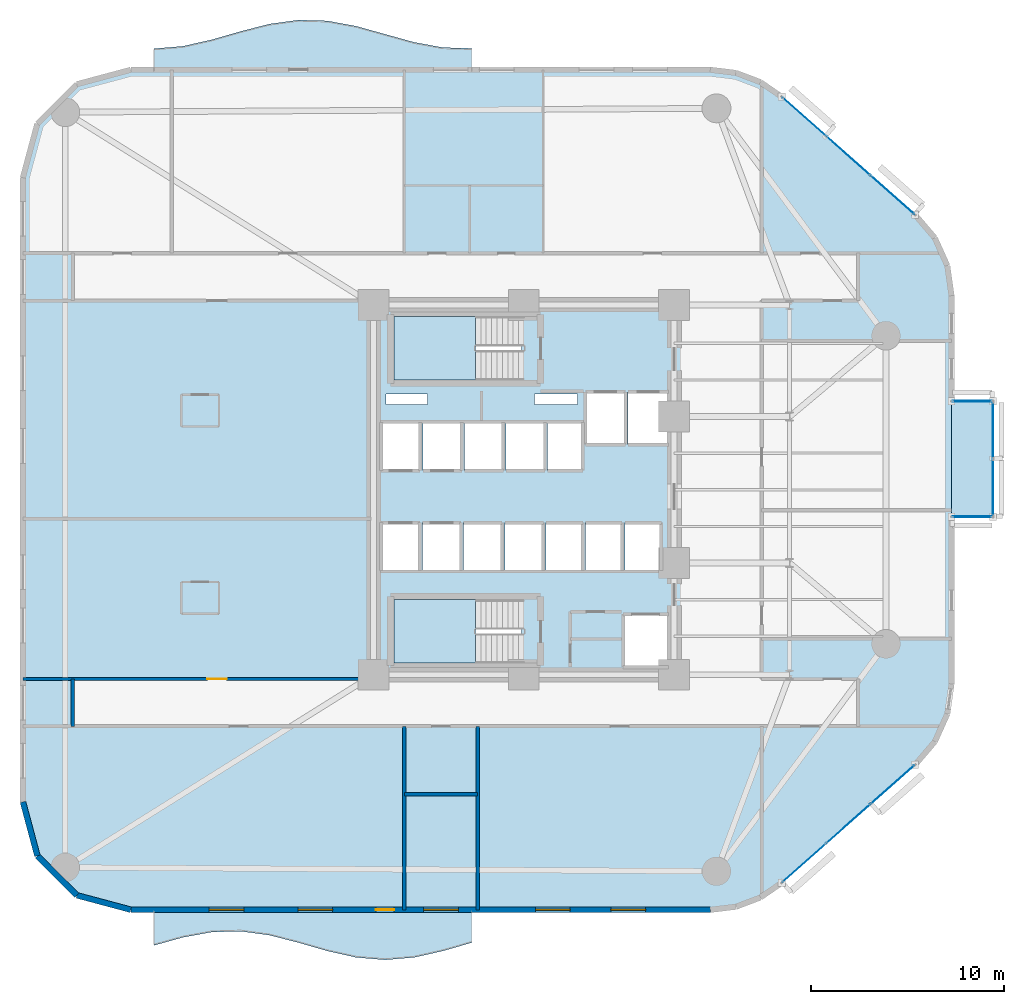
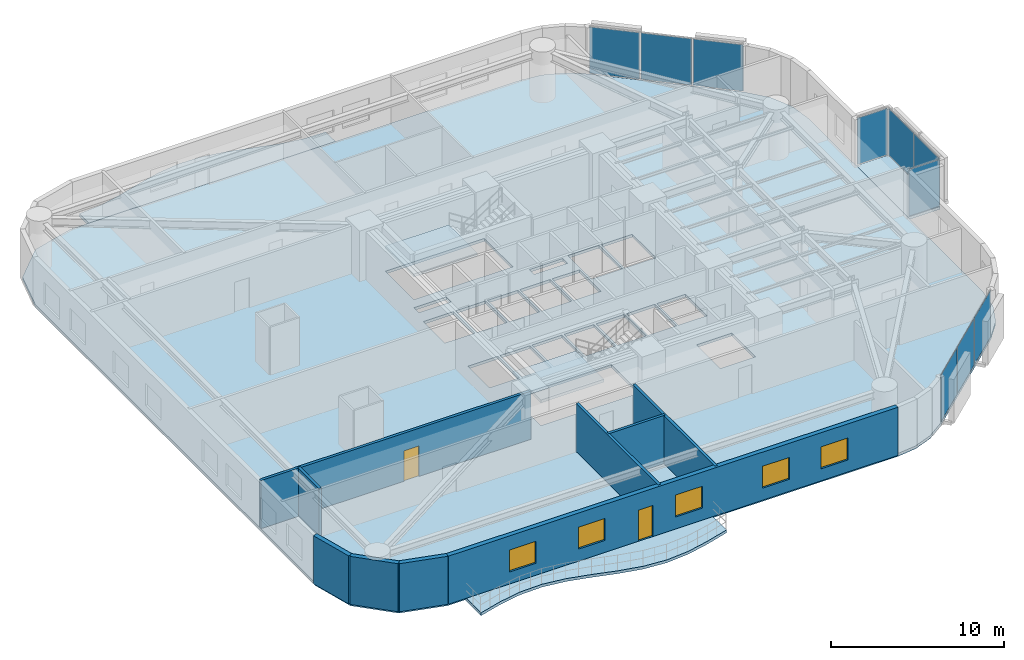
# One storey, part 9 of 16: 10 plates, 9 walls, 6 slabs, 5 windows, 2 doors, 7 openings, 7 elements without a shape of their own.
"""IFC4 building model written with IfcOpenShell, lengths in metres."""

from ifc_helpers import new_model, si_unit, direction, frame, frame_2d, origin, origin_2d, place, context, subcontext, project, spatial, polyline, rectangle, outline, extrude, material, layer, layer_set, type_object, element, fill, aggregate, save


model = new_model("IFC4")

# Units and contexts
model_context = context("Model", 3, precision=1e-05, world=origin(), true_north=direction((0.0, 1.0)))
body_context = subcontext(model_context, "Body", "Model", "MODEL_VIEW")
ifc_project = project(units=[si_unit("LENGTHUNIT", "METRE"), si_unit("AREAUNIT", "SQUARE_METRE"), si_unit("VOLUMEUNIT", "CUBIC_METRE"), si_unit("PLANEANGLEUNIT", "RADIAN"), si_unit("MASSUNIT", "GRAM", prefix="KILO")], contexts=[model_context])

# Site, building, storey
site_placement = place(None, origin())
site = spatial("IfcSite", under=ifc_project, at=site_placement, CompositionType="ELEMENT")
building_placement = place(site_placement, origin())
building = spatial("IfcBuilding", under=site, at=building_placement, Name="An Khanh Terracotta Commons", CompositionType="ELEMENT")
storey_placement = place(building_placement, frame((0.0, 0.0, 46.800048828125)))
storey = spatial("IfcBuildingStorey", under=building, at=storey_placement, Name="L12", CompositionType="ELEMENT", Elevation=46.800048828125)

# Curtain wall, plates
ifc_material_1 = material(Name="Anodised Aluminium 6063-T6", Category="aluminium")
ifc_layer_1 = layer(ifc_material_1, 0.199951171875, Name="Anodised Aluminium 6063-T6")
ifc_layer_set_1 = layer_set([ifc_layer_1], Name="Anodised Aluminium 6063-T6")
curtain_wall_type_1 = type_object("IfcCurtainWallType", Name="CW-SYS-02", PredefinedType="USERDEFINED", material=ifc_layer_set_1)
curtain_wall_1_placement = place(storey_placement, origin())
curtain_wall_1 = element("IfcCurtainWall", 1, at=curtain_wall_1_placement, inside=storey, type_object=curtain_wall_type_1, Name="L12 CW-02 Unitised Curtain Wall CW-L12-08", ObjectType="UNITISED CURTAIN WALL", PredefinedType="USERDEFINED")
ifc_material_2 = material(Name="Double Low-E Solar Control Glazing", Category="glass")
ifc_layer_2 = layer(ifc_material_2, 0.028076171875, Name="Double Low-E Solar Control Glazing")
ifc_layer_set_2 = layer_set([ifc_layer_2], Name="Double Low-E Solar Control Glazing")
plate_type_1 = type_object("IfcPlateType", Name="CWP-IGU-28", PredefinedType="CURTAIN_PANEL", material=ifc_layer_set_2)
plate_1_placement = place(storey_placement, frame((43.95556640625, 4.637939453125, 0.06005859375), z_axis=(0.0, 0.0, 1.0), x_axis=(0.749019284633, 0.662548195415, 0.0)))
plate_1 = element("IfcPlate", 2, at=plate_1_placement, type_object=plate_type_1, Name="CW-02 panel 1.1", PredefinedType="CURTAIN_PANEL", context=body_context, shape_type="SweptSolid", body=[
    extrude(rectangle(XDim=2.97509765625, YDim=0.028076171875, at=origin_2d()), origin(), (0.0, 0.0, 1.0), 3.280029296875),
])
plate_2_placement = place(storey_placement, frame((46.24951171875, 6.6669921875, 0.06005859375), z_axis=(0.0, 0.0, 1.0), x_axis=(0.749019284633, 0.662548195415, 0.0)))
plate_2 = element("IfcPlate", 3, at=plate_2_placement, type_object=plate_type_1, Name="CW-02 panel 2.1", PredefinedType="CURTAIN_PANEL", context=body_context, shape_type="SweptSolid", body=[
    extrude(rectangle(XDim=3.010009765625, YDim=0.028076171875, at=origin_2d()), origin(), (0.0, 0.0, 1.0), 3.280029296875),
])
plate_3_placement = place(storey_placement, frame((48.54345703125, 8.696044921875, 0.06005859375), z_axis=(0.0, 0.0, 1.0), x_axis=(0.749019284633, 0.662548195415, 0.0)))
plate_3 = element("IfcPlate", 4, at=plate_3_placement, type_object=plate_type_1, Name="CW-02 panel 3.1", PredefinedType="CURTAIN_PANEL", context=body_context, shape_type="SweptSolid", body=[
    extrude(rectangle(XDim=2.97509765625, YDim=0.028076171875, at=origin_2d()), origin(), (0.0, 0.0, 1.0), 3.280029296875),
])
aggregate(curtain_wall_1, [plate_1, plate_2, plate_3])

curtain_wall_2_placement = place(storey_placement, origin())
curtain_wall_2 = element("IfcCurtainWall", 5, at=curtain_wall_2_placement, inside=storey, type_object=curtain_wall_type_1, Name="L12 CW-02 Unitised Curtain Wall CW-L12-16", ObjectType="UNITISED CURTAIN WALL", PredefinedType="USERDEFINED")
plate_4_placement = place(storey_placement, frame((48.54345703125, 39.303955078125, 0.06005859375), z_axis=(0.0, 0.0, 1.0), x_axis=(-0.749019284633, 0.662548195415, 0.0)))
plate_4 = element("IfcPlate", 6, at=plate_4_placement, type_object=plate_type_1, Name="CW-02 panel 1.1", PredefinedType="CURTAIN_PANEL", context=body_context, shape_type="SweptSolid", body=[
    extrude(rectangle(XDim=2.97509765625, YDim=0.028076171875, at=origin_2d()), origin(), (0.0, 0.0, 1.0), 3.280029296875),
])
plate_5_placement = place(storey_placement, frame((46.24951171875, 41.3330078125, 0.06005859375), z_axis=(0.0, 0.0, 1.0), x_axis=(-0.749019284633, 0.662548195415, 0.0)))
plate_5 = element("IfcPlate", 7, at=plate_5_placement, type_object=plate_type_1, Name="CW-02 panel 2.1", PredefinedType="CURTAIN_PANEL", context=body_context, shape_type="SweptSolid", body=[
    extrude(rectangle(XDim=3.010009765625, YDim=0.028076171875, at=origin_2d()), origin(), (0.0, 0.0, 1.0), 3.280029296875),
])
plate_6_placement = place(storey_placement, frame((43.95556640625, 43.362060546875, 0.06005859375), z_axis=(0.0, 0.0, 1.0), x_axis=(-0.749019284633, 0.662548195415, 0.0)))
plate_6 = element("IfcPlate", 8, at=plate_6_placement, type_object=plate_type_1, Name="CW-02 panel 3.1", PredefinedType="CURTAIN_PANEL", context=body_context, shape_type="SweptSolid", body=[
    extrude(rectangle(XDim=2.97509765625, YDim=0.028076171875, at=origin_2d()), origin(), (0.0, 0.0, 1.0), 3.280029296875),
])
aggregate(curtain_wall_2, [plate_4, plate_5, plate_6])

ifc_layer_3 = layer(ifc_material_1, 0.239990234375, Name="Anodised Aluminium 6063-T6")
ifc_layer_set_3 = layer_set([ifc_layer_3], Name="Anodised Aluminium 6063-T6")
curtain_wall_type_2 = type_object("IfcCurtainWallType", Name="CW-SYS-04", PredefinedType="USERDEFINED", material=ifc_layer_set_3)
curtain_wall_3_placement = place(storey_placement, origin())
curtain_wall_3 = element("IfcCurtainWall", 9, at=curtain_wall_3_placement, inside=storey, type_object=curtain_wall_type_2, Name="L12 CW-04 Unitised Curtain Wall CW-L12-EBOX-1", ObjectType="UNITISED CURTAIN WALL", PredefinedType="USERDEFINED")
ifc_material_3 = material(Name="Triple-Silver Sky-Lobby Glazing", Category="glass")
ifc_layer_4 = layer(ifc_material_3, 0.0400390625, Name="Triple-Silver Sky-Lobby Glazing")
ifc_layer_set_4 = layer_set([ifc_layer_4], Name="Triple-Silver Sky-Lobby Glazing")
plate_type_2 = type_object("IfcPlateType", Name="CWP-IGU-40", PredefinedType="CURTAIN_PANEL", material=ifc_layer_set_4)
plate_7_placement = place(storey_placement, frame((53.75, 24.1162109375, 0.06005859375), z_axis=(0.0, 0.0, 1.0), x_axis=(0.0, 1.0, 0.0)))
plate_7 = element("IfcPlate", 10, at=plate_7_placement, type_object=plate_type_2, Name="CW-04 panel 1.1", PredefinedType="CURTAIN_PANEL", context=body_context, shape_type="SweptSolid", body=[
    extrude(rectangle(XDim=2.902587890625, YDim=0.0400390625, at=origin_2d()), origin(), (0.0, 0.0, 1.0), 3.280029296875),
])
plate_8_placement = place(storey_placement, frame((53.75, 27.083740234375, 0.06005859375), z_axis=(0.0, 0.0, 1.0), x_axis=(0.0, 1.0, 0.0)))
plate_8 = element("IfcPlate", 11, at=plate_8_placement, type_object=plate_type_2, Name="CW-04 panel 2.1", PredefinedType="CURTAIN_PANEL", context=body_context, shape_type="SweptSolid", body=[
    extrude(rectangle(XDim=2.902587890625, YDim=0.0400390625, at=origin_2d()), origin(), (0.0, 0.0, 1.0), 3.280029296875),
])
aggregate(curtain_wall_3, [plate_7, plate_8])

# Curtain wall, plate
curtain_wall_4_placement = place(storey_placement, origin())
curtain_wall_4 = element("IfcCurtainWall", 12, at=curtain_wall_4_placement, inside=storey, type_object=curtain_wall_type_2, Name="L12 CW-04 Unitised Curtain Wall CW-L12-EBOX-2", ObjectType="UNITISED CURTAIN WALL", PredefinedType="USERDEFINED")
plate_9_placement = place(storey_placement, frame((52.675048828125, 22.60009765625, 0.06005859375), z_axis=(0.0, 0.0, 1.0), x_axis=(1.0, 0.0, 0.0)))
plate_9 = element("IfcPlate", 13, at=plate_9_placement, type_object=plate_type_2, Name="CW-04 panel 1.1", PredefinedType="CURTAIN_PANEL", context=body_context, shape_type="SweptSolid", body=[
    extrude(rectangle(XDim=2.02001953125, YDim=0.0400390625, at=origin_2d()), origin(), (0.0, 0.0, 1.0), 3.280029296875),
])
aggregate(curtain_wall_4, [plate_9])

curtain_wall_5_placement = place(storey_placement, origin())
curtain_wall_5 = element("IfcCurtainWall", 14, at=curtain_wall_5_placement, inside=storey, type_object=curtain_wall_type_2, Name="L12 CW-04 Unitised Curtain Wall CW-L12-EBOX-3", ObjectType="UNITISED CURTAIN WALL", PredefinedType="USERDEFINED")
plate_10_placement = place(storey_placement, frame((52.675048828125, 28.60009765625, 0.06005859375), z_axis=(0.0, 0.0, 1.0), x_axis=(-1.0, 0.0, 0.0)))
plate_10 = element("IfcPlate", 15, at=plate_10_placement, type_object=plate_type_2, Name="CW-04 panel 1.1", PredefinedType="CURTAIN_PANEL", context=body_context, shape_type="SweptSolid", body=[
    extrude(rectangle(XDim=2.02001953125, YDim=0.0400390625, at=origin_2d()), origin(), (0.0, 0.0, 1.0), 3.280029296875),
])
aggregate(curtain_wall_5, [plate_10])

# Slabs
ifc_material_4 = material(Name="Concrete C40/50", Category="concrete")
ifc_layer_5 = layer(ifc_material_4, 0.199951171875, Name="Concrete C40/50")
ifc_layer_set_5 = layer_set([ifc_layer_5], Name="Concrete C40/50")
slab_type_1 = type_object("IfcSlabType", Name="SLAB-BALC-200", PredefinedType="FLOOR", material=ifc_layer_set_5)
slab_1_placement = place(storey_placement, frame((0.0, 0.0, -0.199951171875)))
element("IfcSlab", 16, at=slab_1_placement, inside=storey, type_object=slab_type_1, Name="L12 S Sinusoidal Wave Balcony Slab", PredefinedType="FLOOR", context=body_context, shape_type="SweptSolid", body=[
    extrude(outline(polyline([(10.199951171875, 2.199951171875), (10.199951171875, 0.35009765625), (11.699951171875, 0.76708984375), (13.199951171875, 1.04296875), (14.699951171875, 1.0859375), (16.199951171875, 0.8798828125), (17.699951171875, 0.49609375), (19.199951171875, 0.06298828125), (20.699951171875, -0.27392578125), (22.199951171875, -0.39990234375), (23.699951171875, -0.27392578125), (25.199951171875, 0.06298828125), (26.699951171875, 0.49609375), (26.699951171875, 2.199951171875), (10.199951171875, 2.199951171875)])), origin(), (0.0, 0.0, 1.0), 0.199951171875),
])
slab_2_placement = place(storey_placement, frame((0.0, 0.0, -0.199951171875)))
element("IfcSlab", 17, at=slab_2_placement, inside=storey, type_object=slab_type_1, Name="L12 N Sinusoidal Wave Balcony Slab", PredefinedType="FLOOR", context=body_context, shape_type="SweptSolid", body=[
    extrude(outline(polyline([(26.699951171875, 45.800048828125), (26.699951171875, 46.9140625), (25.199951171875, 46.95703125), (23.699951171875, 47.23291015625), (22.199951171875, 47.64990234375), (20.699951171875, 48.06689453125), (19.199951171875, 48.343017578125), (17.699951171875, 48.385986328125), (16.199951171875, 48.179931640625), (14.699951171875, 47.7958984375), (13.199951171875, 47.363037109375), (11.699951171875, 47.02587890625), (10.199951171875, 46.89990234375), (10.199951171875, 45.800048828125), (26.699951171875, 45.800048828125)])), origin(), (0.0, 0.0, 1.0), 0.199951171875),
])

# Stair, slab
ifc_material_5 = material(Name="Precast concrete C40/50", Category="concrete")
stair_type = type_object("IfcStairType", Name="STAIR-CORE-1550", PredefinedType="HALF_TURN_STAIR", material=ifc_material_5)
stair_1_placement = place(storey_placement, origin())
stair_1 = element("IfcStair", 18, at=stair_1_placement, inside=storey, type_object=stair_type, Name="L12 Core Smokeproof Exit Stair ST-01", PredefinedType="HALF_TURN_STAIR")
ifc_layer_6 = layer(ifc_material_4, 0.18994140625, Name="Concrete C40/50")
ifc_layer_set_6 = layer_set([ifc_layer_6], Name="Concrete C40/50")
slab_type_2 = type_object("IfcSlabType", Name="SLAB-LANDING-190", PredefinedType="LANDING", material=ifc_layer_set_6)
slab_3_placement = place(storey_placement, frame((0.0, 0.0, 1.599853515625)))
slab_3 = element("IfcSlab", 19, at=slab_3_placement, type_object=slab_type_2, Name="ST-01 landing 1", PredefinedType="LANDING", context=body_context, shape_type="SweptSolid", body=[
    extrude(outline(polyline([(26.889892578125, 33.0), (22.64990234375, 33.0), (22.64990234375, 29.699951171875), (26.889892578125, 29.699951171875), (26.889892578125, 33.0)])), origin(), (0.0, 0.0, 1.0), 0.2001953125),
])
aggregate(stair_1, [slab_3])

stair_2_placement = place(storey_placement, origin())
stair_2 = element("IfcStair", 20, at=stair_2_placement, inside=storey, type_object=stair_type, Name="L12 Core Smokeproof Exit Stair ST-02", PredefinedType="HALF_TURN_STAIR")
slab_4_placement = place(storey_placement, frame((0.0, 0.0, 1.599853515625)))
slab_4 = element("IfcSlab", 21, at=slab_4_placement, type_object=slab_type_2, Name="ST-02 landing 1", PredefinedType="LANDING", context=body_context, shape_type="SweptSolid", body=[
    extrude(outline(polyline([(26.889892578125, 18.300048828125), (22.64990234375, 18.300048828125), (22.64990234375, 15.0), (26.889892578125, 15.0), (26.889892578125, 18.300048828125)])), origin(), (0.0, 0.0, 1.0), 0.2001953125),
])
aggregate(stair_2, [slab_4])

# Slabs
ifc_layer_7 = layer(ifc_material_4, 0.199951171875, Name="Concrete C40/50")
ifc_layer_set_7 = layer_set([ifc_layer_7], Name="Concrete C40/50")
slab_type_3 = type_object("IfcSlabType", Name="SLAB-TYP-200", PredefinedType="FLOOR", material=ifc_layer_set_7)
slab_5_placement = place(storey_placement, frame((0.0, 0.0, -0.199951171875)))
element("IfcSlab", 22, at=slab_5_placement, inside=storey, type_object=slab_type_3, Name="L12 Structural Floor Slab", PredefinedType="FLOOR", context=body_context, shape_type="SweptSolid", body=[
    extrude(outline(polyline([(3.39990234375, 7.800048828125), (4.14990234375, 5.0), (6.199951171875, 2.949951171875), (9.0, 2.199951171875), (39.0791015625, 2.199951171875), (40.4169921875, 2.362060546875), (41.678955078125, 2.840087890625), (42.7890625, 3.60595703125), (49.7099609375, 9.72802734375), (50.73193359375, 10.927978515625), (51.37890625, 12.363037109375), (51.60009765625, 13.923095703125), (51.60009765625, 34.076904296875), (51.37890625, 35.636962890625), (50.73193359375, 37.072021484375), (49.7099609375, 38.27197265625), (42.7890625, 44.39404296875), (41.678955078125, 45.159912109375), (40.4169921875, 45.637939453125), (39.0791015625, 45.800048828125), (9.0, 45.800048828125), (6.199951171875, 45.050048828125), (4.14990234375, 43.0), (3.39990234375, 40.199951171875), (3.39990234375, 7.800048828125)]), holes=[polyline([(22.64990234375, 29.699951171875), (29.27001953125, 29.699951171875), (29.27001953125, 33.0), (22.64990234375, 33.0), (22.64990234375, 29.699951171875)]), polyline([(22.64990234375, 15.0), (29.27001953125, 15.0), (29.27001953125, 18.300048828125), (22.64990234375, 18.300048828125), (22.64990234375, 15.0)]), polyline([(32.60009765625, 26.35009765625), (34.679931640625, 26.35009765625), (34.679931640625, 29.080078125), (32.60009765625, 29.080078125), (32.60009765625, 26.35009765625)]), polyline([(34.820068359375, 26.35009765625), (36.89990234375, 26.35009765625), (36.89990234375, 29.080078125), (34.820068359375, 29.080078125), (34.820068359375, 26.35009765625)]), polyline([(34.550048828125, 14.800048828125), (36.89990234375, 14.800048828125), (36.89990234375, 17.550048828125), (34.550048828125, 17.550048828125), (34.550048828125, 14.800048828125)]), polyline([(22.0, 25.0), (24.02001953125, 25.0), (24.02001953125, 27.5), (22.0, 27.5), (22.0, 25.0)]), polyline([(24.159912109375, 25.0), (26.179931640625, 25.0), (26.179931640625, 27.5), (24.159912109375, 27.5), (24.159912109375, 25.0)]), polyline([(22.0, 19.800048828125), (24.0, 19.800048828125), (24.0, 22.300048828125), (22.0, 22.300048828125), (22.0, 19.800048828125)]), polyline([(24.139892578125, 19.800048828125), (26.139892578125, 19.800048828125), (26.139892578125, 22.300048828125), (24.139892578125, 22.300048828125), (24.139892578125, 19.800048828125)]), polyline([(26.320068359375, 25.0), (28.340087890625, 25.0), (28.340087890625, 27.5), (26.320068359375, 27.5), (26.320068359375, 25.0)]), polyline([(28.47998046875, 25.0), (30.5, 25.0), (30.5, 27.5), (28.47998046875, 27.5), (28.47998046875, 25.0)]), polyline([(26.280029296875, 19.800048828125), (28.280029296875, 19.800048828125), (28.280029296875, 22.300048828125), (26.280029296875, 22.300048828125), (26.280029296875, 19.800048828125)]), polyline([(28.419921875, 19.800048828125), (30.419921875, 19.800048828125), (30.419921875, 22.300048828125), (28.419921875, 22.300048828125), (28.419921875, 19.800048828125)]), polyline([(30.639892578125, 25.0), (32.4599609375, 25.0), (32.4599609375, 27.5), (30.639892578125, 27.5), (30.639892578125, 25.0)]), polyline([(30.56005859375, 19.800048828125), (32.4599609375, 19.800048828125), (32.4599609375, 22.300048828125), (30.56005859375, 22.300048828125), (30.56005859375, 19.800048828125)]), polyline([(32.60009765625, 19.800048828125), (34.5, 19.800048828125), (34.5, 22.300048828125), (32.60009765625, 22.300048828125), (32.60009765625, 19.800048828125)]), polyline([(34.639892578125, 19.800048828125), (36.5400390625, 19.800048828125), (36.5400390625, 22.300048828125), (34.639892578125, 22.300048828125), (34.639892578125, 19.800048828125)]), polyline([(22.25, 28.419921875), (24.39990234375, 28.419921875), (24.39990234375, 28.97998046875), (22.25, 28.97998046875), (22.25, 28.419921875)]), polyline([(29.949951171875, 28.419921875), (32.199951171875, 28.419921875), (32.199951171875, 28.97998046875), (29.949951171875, 28.97998046875), (29.949951171875, 28.419921875)])]), origin(), (0.0, 0.0, 1.0), 0.199951171875),
])
slab_6_placement = place(storey_placement, frame((0.0, 0.0, -0.199951171875)))
element("IfcSlab", 23, at=slab_6_placement, inside=storey, type_object=slab_type_3, Name="L12 Shifted Social Kitchen Box Floor Slab", PredefinedType="FLOOR", context=body_context, shape_type="SweptSolid", body=[
    extrude(outline(polyline([(51.60009765625, 22.60009765625), (53.75, 22.60009765625), (53.75, 28.60009765625), (51.60009765625, 28.60009765625), (51.60009765625, 22.60009765625)])), origin(), (0.0, 0.0, 1.0), 0.199951171875),
])

# Wall
ifc_material_6 = material(Name="Fire-Rated Gypsum Board on Steel Stud", Category="steel")
ifc_layer_8 = layer(ifc_material_6, 0.179931640625, Name="Fire-Rated Gypsum Board on Steel Stud")
ifc_layer_set_8 = layer_set([ifc_layer_8], Name="Fire-Rated Gypsum Board on Steel Stud")
wall_type_1 = type_object("IfcWallType", Name="WALL-CORR-180", PredefinedType="PARTITIONING", material=ifc_layer_set_8)
wall_1_placement = place(storey_placement, frame((23.199951171875, 8.199951171875, 0.0), z_axis=(0.0, 0.0, 1.0), x_axis=(1.0, 0.0, 0.0)))
element("IfcWall", 24, at=wall_1_placement, inside=storey, type_object=wall_type_1, Name="L12 Interior Partition IW-L12-E001", PredefinedType="PARTITIONING", context=body_context, shape_type="SweptSolid", body=[
    extrude(rectangle(XDim=3.800048828125, YDim=0.179931640625, at=frame_2d((1.89990234375, 0.0))), origin(), (0.0, 0.0, 1.0), 3.39990234375),
])

# Wall, opening, door
wall_2_placement = place(storey_placement, frame((3.39990234375, 14.179931640625, 0.0), z_axis=(0.0, 0.0, 1.0), x_axis=(1.0, 0.0, 0.0)))
wall_2 = element("IfcWall", 25, at=wall_2_placement, inside=storey, type_object=wall_type_1, Name="L12 Interior Partition IW-L12-E003", PredefinedType="PARTITIONING", context=body_context, shape_type="SweptSolid", body=[
    extrude(rectangle(XDim=18.080078125, YDim=0.179931640625, at=frame_2d((9.0400390625, 0.0))), origin(), (0.0, 0.0, 1.0), 3.39990234375),
])
opening_1_placement = place(wall_2_placement, frame((9.580078125, 0.0, 0.0)))
opening_1 = element("IfcOpeningElement", 26, at=opening_1_placement, cuts=wall_2, Name="Opening D-UN", PredefinedType="OPENING", context=body_context, shape_type="SweptSolid", body=[
    extrude(rectangle(XDim=1.0, YDim=2.14990234375, at=frame_2d((0.5, 1.074951171875))), frame((0.0, 0.099853515625, 0.0), z_axis=(0.0, -1.0, 0.0), x_axis=(1.0, 0.0, 0.0)), (0.0, 0.0, 1.0), 0.199951171875),
])
ifc_material_7 = material(Name="Solid-Core Hardwood Acoustic Fire Door", Category="wood")
door_type_1 = type_object("IfcDoorType", Name="DOOR-UNIT-1000", OperationType="NOTDEFINED", PredefinedType="DOOR", material=ifc_material_7)
door_1_placement = place(opening_1_placement, origin())
door_1 = element("IfcDoor", 27, at=door_1_placement, inside=storey, type_object=door_type_1, Name="L12 WW1 Kitchenette and Studio Apartment Door", OperationType="SINGLE_SWING_LEFT", OverallHeight=2.14990234375, OverallWidth=1.0, PredefinedType="DOOR", context=body_context, shape_type="SweptSolid", body=[
    extrude(rectangle(XDim=1.0, YDim=2.14990234375, at=frame_2d((0.5, 1.074951171875))), frame((0.0, 0.02490234375, 0.0), z_axis=(0.0, -1.0, 0.0), x_axis=(1.0, 0.0, 0.0)), (0.0, 0.0, 1.0), 0.050048828125),
])
fill(opening_1, door_1)

# Walls
wall_3_placement = place(storey_placement, frame((6.0, 11.719970703125, 0.0), z_axis=(0.0, 0.0, 1.0), x_axis=(0.0, 1.0, 0.0)))
element("IfcWall", 28, at=wall_3_placement, inside=storey, type_object=wall_type_1, Name="L12 Interior Partition IW-L12-E013", PredefinedType="PARTITIONING", context=body_context, shape_type="SweptSolid", body=[
    extrude(rectangle(XDim=2.4599609375, YDim=0.179931640625, at=frame_2d((1.22998046875, 0.0))), origin(), (0.0, 0.0, 1.0), 3.39990234375),
])
for number, where, z_axis, x_axis, name in (
    (29, (23.199951171875, 2.199951171875, 0.0), (0.0, 0.0, 1.0), (0.0, 1.0, 0.0), "L12 Interior Partition IW-L12-E016"),
    (30, (27.0, 2.199951171875, 0.0), (0.0, 0.0, 1.0), (0.0, 1.0, 0.0), "L12 Interior Partition IW-L12-E019"),
):
    element("IfcWall", number, at=place(storey_placement, frame(where, z_axis=z_axis, x_axis=x_axis)), inside=storey, type_object=wall_type_1, Name=name, PredefinedType="PARTITIONING", context=body_context, shape_type="SweptSolid", body=[
        extrude(rectangle(XDim=9.52001953125, YDim=0.179931640625, at=frame_2d((4.760009765625, 0.0))), origin(), (0.0, 0.0, 1.0), 3.39990234375),
    ])
ifc_layer_9 = layer(ifc_material_5, 0.300048828125, Name="Precast concrete C40/50")
ifc_layer_set_9 = layer_set([ifc_layer_9], Name="Precast concrete C40/50")
wall_type_2 = type_object("IfcWallType", Name="WALL-EXT-300", PredefinedType="SOLIDWALL", material=ifc_layer_set_9)
wall_4_placement = place(storey_placement, frame((3.39990234375, 7.800048828125, 0.0), z_axis=(0.0, 0.0, 1.0), x_axis=(0.258731875344, -0.96594917914, 0.0)))
element("IfcWall", 31, at=wall_4_placement, inside=storey, type_object=wall_type_2, Name="L12 Insulated Terracotta Exterior Wall 1", PredefinedType="SOLIDWALL", context=body_context, shape_type="SweptSolid", body=[
    extrude(rectangle(XDim=2.898681640625, YDim=0.300048828125, at=frame_2d((1.44921875, 0.0))), origin(), (0.0, 0.0, 1.0), 3.39990234375),
])
wall_5_placement = place(storey_placement, frame((4.14990234375, 5.0, 0.0), z_axis=(0.0, 0.0, 1.0), x_axis=(0.707106781187, -0.707106781187, 0.0)))
element("IfcWall", 32, at=wall_5_placement, inside=storey, type_object=wall_type_2, Name="L12 Insulated Terracotta Exterior Wall 2", PredefinedType="SOLIDWALL", context=body_context, shape_type="SweptSolid", body=[
    extrude(rectangle(XDim=2.899169921875, YDim=0.300048828125, at=frame_2d((1.44970703125, 0.0))), origin(), (0.0, 0.0, 1.0), 3.39990234375),
])
wall_6_placement = place(storey_placement, frame((6.199951171875, 2.949951171875, 0.0), z_axis=(0.0, 0.0, 1.0), x_axis=(0.96594917914, -0.258731875344, 0.0)))
element("IfcWall", 33, at=wall_6_placement, inside=storey, type_object=wall_type_2, Name="L12 Insulated Terracotta Exterior Wall 3", PredefinedType="SOLIDWALL", context=body_context, shape_type="SweptSolid", body=[
    extrude(rectangle(XDim=2.898681640625, YDim=0.300048828125, at=frame_2d((1.44921875, 0.0))), origin(), (0.0, 0.0, 1.0), 3.39990234375),
])

# Wall, openings, door, windows
wall_7_placement = place(storey_placement, frame((9.0, 2.199951171875, 0.0), z_axis=(0.0, 0.0, 1.0), x_axis=(1.0, 0.0, 0.0)))
wall_7 = element("IfcWall", 34, at=wall_7_placement, inside=storey, type_object=wall_type_2, Name="L12 Insulated Terracotta Exterior Wall 4", PredefinedType="SOLIDWALL", context=body_context, shape_type="SweptSolid", body=[
    extrude(rectangle(XDim=30.0791015625, YDim=0.300048828125, at=frame_2d((15.03955078125, 0.0))), origin(), (0.0, 0.0, 1.0), 3.39990234375),
])
opening_2_placement = place(wall_7_placement, frame((12.72509765625, 0.0, 0.0)))
opening_2 = element("IfcOpeningElement", 35, at=opening_2_placement, cuts=wall_7, Name="Opening D-BAL", PredefinedType="OPENING", context=body_context, shape_type="SweptSolid", body=[
    extrude(rectangle(XDim=0.949951171875, YDim=2.199951171875, at=frame_2d((0.47509765625, 1.10009765625))), frame((0.0, 0.159912109375, 0.0), z_axis=(0.0, -1.0, 0.0), x_axis=(1.0, 0.0, 0.0)), (0.0, 0.0, 1.0), 0.320068359375),
])
opening_3_placement = place(wall_7_placement, frame((4.06689453125, 0.0, 0.85009765625)))
opening_3 = element("IfcOpeningElement", 36, at=opening_3_placement, cuts=wall_7, Name="Opening W-01", PredefinedType="OPENING", context=body_context, shape_type="SweptSolid", body=[
    extrude(rectangle(XDim=1.800048828125, YDim=1.550048828125, at=frame_2d((0.89990234375, 0.77490234375))), frame((0.0, 0.159912109375, 0.0), z_axis=(0.0, -1.0, 0.0), x_axis=(1.0, 0.0, 0.0)), (0.0, 0.0, 1.0), 0.320068359375),
])
opening_4_placement = place(wall_7_placement, frame((8.68310546875, 0.0, 0.85009765625)))
opening_4 = element("IfcOpeningElement", 37, at=opening_4_placement, cuts=wall_7, Name="Opening W-01", PredefinedType="OPENING", context=body_context, shape_type="SweptSolid", body=[
    extrude(rectangle(XDim=1.800048828125, YDim=1.550048828125, at=frame_2d((0.89990234375, 0.77490234375))), frame((0.0, 0.159912109375, 0.0), z_axis=(0.0, -1.0, 0.0), x_axis=(1.0, 0.0, 0.0)), (0.0, 0.0, 1.0), 0.320068359375),
])
opening_5_placement = place(wall_7_placement, frame((15.199951171875, 0.0, 0.85009765625)))
opening_5 = element("IfcOpeningElement", 38, at=opening_5_placement, cuts=wall_7, Name="Opening W-01", PredefinedType="OPENING", context=body_context, shape_type="SweptSolid", body=[
    extrude(rectangle(XDim=1.800048828125, YDim=1.550048828125, at=frame_2d((0.89990234375, 0.77490234375))), frame((0.0, 0.159912109375, 0.0), z_axis=(0.0, -1.0, 0.0), x_axis=(1.0, 0.0, 0.0)), (0.0, 0.0, 1.0), 0.320068359375),
])
opening_6_placement = place(wall_7_placement, frame((21.010009765625, 0.0, 0.85009765625)))
opening_6 = element("IfcOpeningElement", 39, at=opening_6_placement, cuts=wall_7, Name="Opening W-01", PredefinedType="OPENING", context=body_context, shape_type="SweptSolid", body=[
    extrude(rectangle(XDim=1.800048828125, YDim=1.550048828125, at=frame_2d((0.89990234375, 0.77490234375))), frame((0.0, 0.159912109375, 0.0), z_axis=(0.0, -1.0, 0.0), x_axis=(1.0, 0.0, 0.0)), (0.0, 0.0, 1.0), 0.320068359375),
])
opening_7_placement = place(wall_7_placement, frame((24.9189453125, 0.0, 0.85009765625)))
opening_7 = element("IfcOpeningElement", 40, at=opening_7_placement, cuts=wall_7, Name="Opening W-01", PredefinedType="OPENING", context=body_context, shape_type="SweptSolid", body=[
    extrude(rectangle(XDim=1.800048828125, YDim=1.550048828125, at=frame_2d((0.89990234375, 0.77490234375))), frame((0.0, 0.159912109375, 0.0), z_axis=(0.0, -1.0, 0.0), x_axis=(1.0, 0.0, 0.0)), (0.0, 0.0, 1.0), 0.320068359375),
])
ifc_material_8 = material(Name="Thermally Broken Aluminium and Low-E Glass", Category="aluminium")
door_type_2 = type_object("IfcDoorType", Name="DOOR-BALC-950", OperationType="NOTDEFINED", PredefinedType="DOOR", material=ifc_material_8)
door_2_placement = place(opening_2_placement, origin())
door_2 = element("IfcDoor", 41, at=door_2_placement, inside=storey, type_object=door_type_2, Name="L12 S Wave Balcony Glazed Door", OperationType="SINGLE_SWING_LEFT", OverallHeight=2.199951171875, OverallWidth=0.949951171875, PredefinedType="DOOR", context=body_context, shape_type="SweptSolid", body=[
    extrude(rectangle(XDim=0.949951171875, YDim=2.199951171875, at=frame_2d((0.47509765625, 1.10009765625))), frame((0.0, 0.02490234375, 0.0), z_axis=(0.0, -1.0, 0.0), x_axis=(1.0, 0.0, 0.0)), (0.0, 0.0, 1.0), 0.050048828125),
])
fill(opening_2, door_2)
window_type = type_object("IfcWindowType", Name="WIN-Z1-1800x1550", PartitioningType="DOUBLE_PANEL_VERTICAL", PredefinedType="WINDOW", material=ifc_material_8)
window_1_placement = place(opening_3_placement, origin())
window_1 = element("IfcWindow", 42, at=window_1_placement, inside=storey, type_object=window_type, Name="L12 Operable Casement Window 4.1", OverallHeight=1.550048828125, OverallWidth=1.800048828125, PartitioningType="DOUBLE_PANEL_VERTICAL", PredefinedType="WINDOW", context=body_context, shape_type="SweptSolid", body=[
    extrude(rectangle(XDim=1.800048828125, YDim=1.550048828125, at=frame_2d((0.89990234375, 0.77490234375))), frame((0.0, 0.030029296875, 0.0), z_axis=(0.0, -1.0, 0.0), x_axis=(1.0, 0.0, 0.0)), (0.0, 0.0, 1.0), 0.06005859375),
])
fill(opening_3, window_1)
window_2_placement = place(opening_4_placement, origin())
window_2 = element("IfcWindow", 43, at=window_2_placement, inside=storey, type_object=window_type, Name="L12 Operable Casement Window 4.2", OverallHeight=1.550048828125, OverallWidth=1.800048828125, PartitioningType="DOUBLE_PANEL_VERTICAL", PredefinedType="WINDOW", context=body_context, shape_type="SweptSolid", body=[
    extrude(rectangle(XDim=1.800048828125, YDim=1.550048828125, at=frame_2d((0.89990234375, 0.77490234375))), frame((0.0, 0.030029296875, 0.0), z_axis=(0.0, -1.0, 0.0), x_axis=(1.0, 0.0, 0.0)), (0.0, 0.0, 1.0), 0.06005859375),
])
fill(opening_4, window_2)
window_3_placement = place(opening_5_placement, origin())
window_3 = element("IfcWindow", 44, at=window_3_placement, inside=storey, type_object=window_type, Name="L12 Operable Casement Window 4.3", OverallHeight=1.550048828125, OverallWidth=1.800048828125, PartitioningType="DOUBLE_PANEL_VERTICAL", PredefinedType="WINDOW", context=body_context, shape_type="SweptSolid", body=[
    extrude(rectangle(XDim=1.800048828125, YDim=1.550048828125, at=frame_2d((0.89990234375, 0.77490234375))), frame((0.0, 0.030029296875, 0.0), z_axis=(0.0, -1.0, 0.0), x_axis=(1.0, 0.0, 0.0)), (0.0, 0.0, 1.0), 0.06005859375),
])
fill(opening_5, window_3)
window_4_placement = place(opening_6_placement, origin())
window_4 = element("IfcWindow", 45, at=window_4_placement, inside=storey, type_object=window_type, Name="L12 Operable Casement Window 4.4", OverallHeight=1.550048828125, OverallWidth=1.800048828125, PartitioningType="DOUBLE_PANEL_VERTICAL", PredefinedType="WINDOW", context=body_context, shape_type="SweptSolid", body=[
    extrude(rectangle(XDim=1.800048828125, YDim=1.550048828125, at=frame_2d((0.89990234375, 0.77490234375))), frame((0.0, 0.030029296875, 0.0), z_axis=(0.0, -1.0, 0.0), x_axis=(1.0, 0.0, 0.0)), (0.0, 0.0, 1.0), 0.06005859375),
])
fill(opening_6, window_4)
window_5_placement = place(opening_7_placement, origin())
window_5 = element("IfcWindow", 46, at=window_5_placement, inside=storey, type_object=window_type, Name="L12 Operable Casement Window 4.5", OverallHeight=1.550048828125, OverallWidth=1.800048828125, PartitioningType="DOUBLE_PANEL_VERTICAL", PredefinedType="WINDOW", context=body_context, shape_type="SweptSolid", body=[
    extrude(rectangle(XDim=1.800048828125, YDim=1.550048828125, at=frame_2d((0.89990234375, 0.77490234375))), frame((0.0, 0.030029296875, 0.0), z_axis=(0.0, -1.0, 0.0), x_axis=(1.0, 0.0, 0.0)), (0.0, 0.0, 1.0), 0.06005859375),
])
fill(opening_7, window_5)

save(model, "model.ifc")
